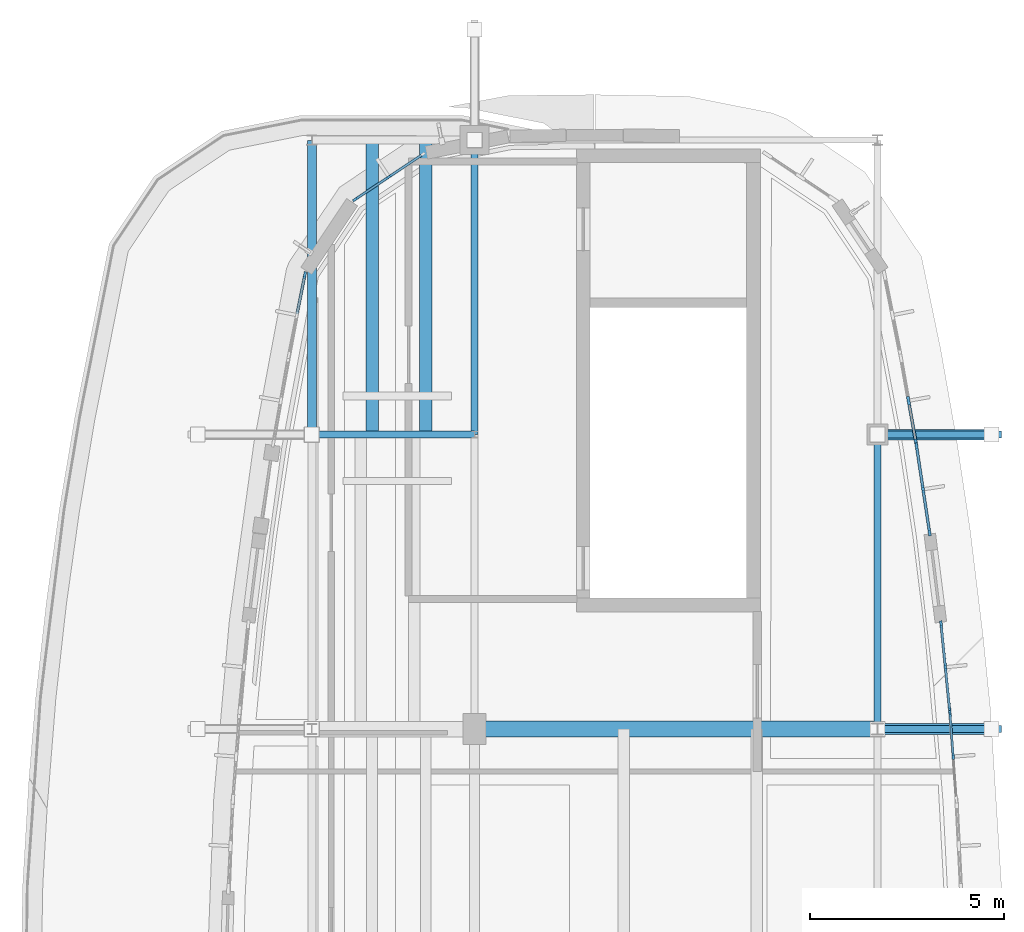
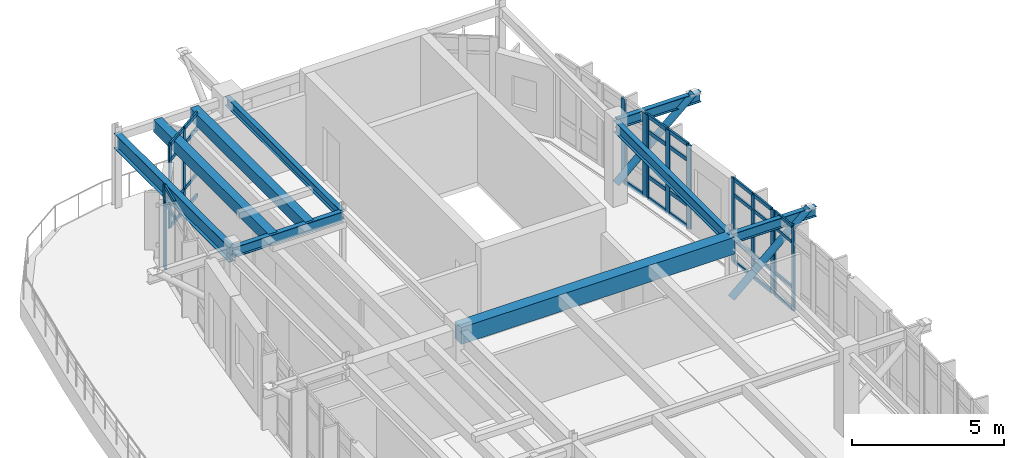
# One storey, part 10 of 20: 46 members, 9 beams, 6 elements without a shape of their own.
"""IFC4 building model written with IfcOpenShell, lengths in metres."""

from ifc_helpers import new_model, si_unit, direction, frame, origin, origin_2d, place, context, subcontext, project, spatial, rectangle, hollow_circle, i_section, extrude, material, material_profile, profile_set, type_object, element, aggregate, save


model = new_model("IFC4")

# Units and contexts
model_context = context("Model", 3, precision=1e-05, world=origin(), true_north=direction((0.0, 1.0)))
body_context = subcontext(model_context, "Body", "Model", "MODEL_VIEW")
ifc_project = project(units=[si_unit("LENGTHUNIT", "METRE"), si_unit("AREAUNIT", "SQUARE_METRE"), si_unit("VOLUMEUNIT", "CUBIC_METRE"), si_unit("PLANEANGLEUNIT", "RADIAN"), si_unit("MASSUNIT", "GRAM", prefix="KILO")], contexts=[model_context])

# Site, building, storey
site_placement = place(None, origin())
site = spatial("IfcSite", under=ifc_project, at=site_placement, CompositionType="ELEMENT")
building_placement = place(site_placement, origin())
building = spatial("IfcBuilding", under=site, at=building_placement, Name="Corveleigh Park Community Centre", CompositionType="ELEMENT")
storey_placement = place(building_placement, frame((0.0, 0.0, 19.800048828125)))
storey = spatial("IfcBuildingStorey", under=building, at=storey_placement, Name="L05", CompositionType="ELEMENT", Elevation=19.800048828125)

# Beams
ifc_material_1 = material(Name="Concrete C40/50", Category="concrete")
ifc_material_profile_1 = material_profile(ifc_material_1, rectangle(XDim=0.324951171875, YDim=0.47509765625, at=origin_2d()), Name="RC-325x475", Category="concrete")
ifc_profile_set_1 = profile_set([ifc_material_profile_1], Name="Concrete C40/50")
beam_type_1 = type_object("IfcBeamType", Name="BM-RC-325x475", PredefinedType="JOIST", material=ifc_profile_set_1)
for number, where, z_axis, x_axis, name in (
    (1, (155.35400390625, 96.60498046875, 3.074462890625), (0.0, 1.0, 0.0), (-1.0, 0.0, 0.0), "Secondary floor joist"),
    (2, (156.739990234375, 96.60498046875, 3.074462890625), (0.0, 1.0, 0.0), (-1.0, 0.0, 0.0), "Secondary floor joist"),
):
    element("IfcBeam", number, at=place(storey_placement, frame(where, z_axis=z_axis, x_axis=x_axis)), inside=storey, type_object=beam_type_1, Name=name, PredefinedType="JOIST", context=body_context, shape_type="SweptSolid", body=[
        extrude(rectangle(XDim=0.324951171875, YDim=0.47509765625, at=origin_2d()), origin(), (0.0, 0.0, 1.0), 7.590087890625),
    ])
ifc_material_profile_2 = material_profile(ifc_material_1, rectangle(XDim=0.425048828125, YDim=0.675048828125, at=origin_2d()), Name="RC-425x675", Category="concrete")
ifc_profile_set_2 = profile_set([ifc_material_profile_2], Name="Concrete C40/50")
beam_type_2 = type_object("IfcBeamType", Name="BM-RC-425x675", PredefinedType="BEAM", material=ifc_profile_set_2)
beam_1_placement = place(storey_placement, frame((158.0048828125, 89.0, 2.974365234375), z_axis=(1.0, 0.0, 0.0), x_axis=(0.0, 1.0, 0.0)))
element("IfcBeam", 3, at=beam_1_placement, inside=storey, type_object=beam_type_2, Name="V4 Girder X", PredefinedType="BEAM", context=body_context, shape_type="SweptSolid", body=[
    extrude(rectangle(XDim=0.425048828125, YDim=0.675048828125, at=origin_2d()), origin(), (0.0, 0.0, 1.0), 10.39013671875),
])
ifc_material_2 = material(Name="Steel S355", Category="steel")
ifc_material_profile_3 = material_profile(ifc_material_2, i_section(OverallWidth=0.173095703125, OverallDepth=0.36328125, WebThickness=0.009033203125, FlangeThickness=0.015625, at=origin_2d()), Name="UKB 356x171x67", Category="steel")
ifc_profile_set_3 = profile_set([ifc_material_profile_3], Name="Steel S355")
beam_type_3 = type_object("IfcBeamType", Name="BM-STL-UKB356x67", PredefinedType="BEAM", material=ifc_profile_set_3)
beam_2_placement = place(storey_placement, frame((158.0, 96.60498046875, 3.13037109375), z_axis=(0.0, 1.0, 0.0), x_axis=(-1.0, 0.0, 0.0)))
element("IfcBeam", 4, at=beam_2_placement, inside=storey, type_object=beam_type_3, Name="V4 Girder Y", PredefinedType="BEAM", context=body_context, shape_type="SweptSolid", body=[
    extrude(i_section(OverallWidth=0.173095703125, OverallDepth=0.36328125, WebThickness=0.009033203125, FlangeThickness=0.015625, at=origin_2d()), origin(), (0.0, 0.0, 1.0), 7.590087890625),
])
ifc_material_profile_4 = material_profile(ifc_material_2, i_section(OverallWidth=0.1787109375, OverallDepth=0.409423828125, WebThickness=0.0087890625, FlangeThickness=0.014404296875, at=origin_2d()), Name="UKB 406x178x67", Category="steel")
ifc_profile_set_4 = profile_set([ifc_material_profile_4], Name="Steel S355")
beam_type_4 = type_object("IfcBeamType", Name="BM-STL-UKB406x67", PredefinedType="BEAM", material=ifc_profile_set_4)
beam_3_placement = place(storey_placement, frame((153.804931640625, 96.60009765625, 3.107177734375), z_axis=(1.0, 0.0, 0.0), x_axis=(0.0, 1.0, 0.0)))
element("IfcBeam", 5, at=beam_3_placement, inside=storey, type_object=beam_type_4, Name="V4 Girder X", PredefinedType="BEAM", context=body_context, shape_type="SweptSolid", body=[
    extrude(i_section(OverallWidth=0.1787109375, OverallDepth=0.409423828125, WebThickness=0.0087890625, FlangeThickness=0.014404296875, at=origin_2d()), origin(), (0.0, 0.0, 1.0), 4.190185546875),
])
for number, where, z_axis, x_axis, name in (
    (6, (168.409912109375, 89.0, 3.1591796875), (1.0, 0.0, 0.0), (0.0, 1.0, 0.0), "V4 Crown Overhang Strut X7Y4 Outrigger"),
    (7, (168.409912109375, 96.60009765625, 3.1591796875), (1.0, 0.0, 0.0), (0.0, 1.0, 0.0), "V4 Crown Overhang Strut X7Y5 Outrigger"),
):
    element("IfcBeam", number, at=place(storey_placement, frame(where, z_axis=z_axis, x_axis=x_axis)), inside=storey, type_object=beam_type_4, Name=name, PredefinedType="BEAM", context=body_context, shape_type="SweptSolid", body=[
        extrude(i_section(OverallWidth=0.1787109375, OverallDepth=0.409423828125, WebThickness=0.0087890625, FlangeThickness=0.014404296875, at=origin_2d()), origin(), (0.0, 0.0, 1.0), 3.190185546875),
    ])
ifc_material_profile_5 = material_profile(ifc_material_2, i_section(OverallWidth=0.1904296875, OverallDepth=0.45703125, WebThickness=0.009033203125, FlangeThickness=0.014404296875, at=origin_2d()), Name="UKB 457x191x74", Category="steel")
ifc_profile_set_5 = profile_set([ifc_material_profile_5], Name="Steel S355")
beam_type_5 = type_object("IfcBeamType", Name="BM-STL-UKB457x74", PredefinedType="BEAM", material=ifc_profile_set_5)
beam_4_placement = place(storey_placement, frame((168.39990234375, 89.0048828125, 3.08349609375), z_axis=(0.0, 1.0, 0.0), x_axis=(-1.0, 0.0, 0.0)))
element("IfcBeam", 8, at=beam_4_placement, inside=storey, type_object=beam_type_5, Name="V4 Girder Y", PredefinedType="BEAM", context=body_context, shape_type="SweptSolid", body=[
    extrude(i_section(OverallWidth=0.1904296875, OverallDepth=0.45703125, WebThickness=0.009033203125, FlangeThickness=0.014404296875, at=origin_2d()), origin(), (0.0, 0.0, 1.0), 7.590087890625),
])
ifc_material_profile_6 = material_profile(ifc_material_2, i_section(OverallWidth=0.228271484375, OverallDepth=0.607666015625, WebThickness=0.010986328125, FlangeThickness=0.017333984375, at=origin_2d()), Name="UKB 610x229x113", Category="steel")
ifc_profile_set_6 = profile_set([ifc_material_profile_6], Name="Steel S355")
beam_type_6 = type_object("IfcBeamType", Name="BM-STL-UKB610x113", PredefinedType="BEAM", material=ifc_profile_set_6)
beam_5_placement = place(storey_placement, frame((153.800048828125, 96.60498046875, 3.008056640625), z_axis=(0.0, 1.0, 0.0), x_axis=(-1.0, 0.0, 0.0)))
element("IfcBeam", 9, at=beam_5_placement, inside=storey, type_object=beam_type_6, Name="V4 Girder Y", PredefinedType="BEAM", context=body_context, shape_type="SweptSolid", body=[
    extrude(i_section(OverallWidth=0.228271484375, OverallDepth=0.607666015625, WebThickness=0.010986328125, FlangeThickness=0.017333984375, at=origin_2d()), origin(), (0.0, 0.0, 1.0), 7.590087890625),
])

# Curtain wall, members
ifc_material_3 = material(Name="Anodised aluminium 6063-T6", Category="aluminium")
curtain_wall_type = type_object("IfcCurtainWallType", Name="CW-SYS-V4-L03", PredefinedType="NOTDEFINED", material=ifc_material_3)
curtain_wall_1_placement = place(storey_placement, origin())
curtain_wall_1 = element("IfcCurtainWall", 10, at=curtain_wall_1_placement, inside=storey, type_object=curtain_wall_type, Name="V4 L05 Curtain Wall 481", PredefinedType="NOTDEFINED")
ifc_material_profile_7 = material_profile(ifc_material_3, rectangle(XDim=0.06005859375, YDim=0.159912109375, at=origin_2d()), Name="ALU-M60x160", Category="aluminium")
ifc_profile_set_7 = profile_set([ifc_material_profile_7], Name="Anodised aluminium 6063-T6")
member_type_1 = type_object("IfcMemberType", Name="CWM-60x160", PredefinedType="MULLION", material=ifc_profile_set_7)
member_1_placement = place(storey_placement, frame((170.271240234375, 89.404052734375, 0.0), z_axis=(0.0, 0.0, 1.0), x_axis=(0.997228438227, 0.074400551014, 0.0)))
member_1 = element("IfcMember", 11, at=member_1_placement, type_object=member_type_1, Name="CW09 mullion 1", PredefinedType="MULLION", context=body_context, shape_type="SweptSolid", body=[
    extrude(rectangle(XDim=0.06005859375, YDim=0.159912109375, at=origin_2d()), origin(), (0.0, 0.0, 1.0), 3.364013671875),
])
member_2_placement = place(storey_placement, frame((170.3544921875, 88.2880859375, 0.0), z_axis=(0.0, 0.0, 1.0), x_axis=(0.997228438227, 0.074400551014, 0.0)))
member_2 = element("IfcMember", 12, at=member_2_placement, type_object=member_type_1, Name="CW09 mullion 2", PredefinedType="MULLION", context=body_context, shape_type="SweptSolid", body=[
    extrude(rectangle(XDim=0.06005859375, YDim=0.159912109375, at=origin_2d()), origin(), (0.0, 0.0, 1.0), 3.364013671875),
])

curtain_wall_2_placement = place(storey_placement, origin())
curtain_wall_2 = element("IfcCurtainWall", 13, at=curtain_wall_2_placement, inside=storey, type_object=curtain_wall_type, Name="V4 L05 Curtain Wall 487", PredefinedType="NOTDEFINED")
member_3_placement = place(storey_placement, frame((154.927978515625, 102.67578125, 0.0), z_axis=(0.0, 0.0, 1.0), x_axis=(-0.555458443376, 0.831544296886, 0.0)))
member_3 = element("IfcMember", 14, at=member_3_placement, type_object=member_type_1, Name="CW09 mullion 1", PredefinedType="MULLION", context=body_context, shape_type="SweptSolid", body=[
    extrude(rectangle(XDim=0.06005859375, YDim=0.159912109375, at=origin_2d()), origin(), (0.0, 0.0, 1.0), 3.364013671875),
])
member_4_placement = place(storey_placement, frame((155.78857421875, 103.25048828125, 0.0), z_axis=(0.0, 0.0, 1.0), x_axis=(-0.555458443376, 0.831544296886, 0.0)))
member_4 = element("IfcMember", 15, at=member_4_placement, type_object=member_type_1, Name="CW09 mullion 2", PredefinedType="MULLION", context=body_context, shape_type="SweptSolid", body=[
    extrude(rectangle(XDim=0.06005859375, YDim=0.159912109375, at=origin_2d()), origin(), (0.0, 0.0, 1.0), 3.364013671875),
])

curtain_wall_3_placement = place(storey_placement, origin())
curtain_wall_3 = element("IfcCurtainWall", 16, at=curtain_wall_3_placement, inside=storey, type_object=curtain_wall_type, Name="V4 L05 Curtain Wall 482", PredefinedType="NOTDEFINED")
ifc_material_profile_8 = material_profile(ifc_material_3, rectangle(XDim=0.06494140625, YDim=0.179931640625, at=origin_2d()), Name="ALU-M65x180", Category="aluminium")
ifc_profile_set_8 = profile_set([ifc_material_profile_8], Name="Anodised aluminium 6063-T6")
member_type_2 = type_object("IfcMemberType", Name="CWM-65x180", PredefinedType="MULLION", material=ifc_profile_set_8)
member_5_placement = place(storey_placement, frame((170.041259765625, 91.70458984375, 0.0), z_axis=(0.0, 0.0, 1.0), x_axis=(0.995015609659, 0.099719288676, 0.0)))
member_5 = element("IfcMember", 17, at=member_5_placement, type_object=member_type_2, Name="CW09 mullion 1", PredefinedType="MULLION", context=body_context, shape_type="SweptSolid", body=[
    extrude(rectangle(XDim=0.06494140625, YDim=0.179931640625, at=origin_2d()), origin(), (0.0, 0.0, 1.0), 3.364013671875),
])
member_6_placement = place(storey_placement, frame((170.152587890625, 90.594482421875, 0.0), z_axis=(0.0, 0.0, 1.0), x_axis=(0.995015609659, 0.099719288676, 0.0)))
member_6 = element("IfcMember", 18, at=member_6_placement, type_object=member_type_2, Name="CW09 mullion 2", PredefinedType="MULLION", context=body_context, shape_type="SweptSolid", body=[
    extrude(rectangle(XDim=0.06494140625, YDim=0.179931640625, at=origin_2d()), origin(), (0.0, 0.0, 1.0), 3.364013671875),
])
member_7_placement = place(storey_placement, frame((170.263671875, 89.484375, 0.0), z_axis=(0.0, 0.0, 1.0), x_axis=(0.995015609659, 0.099719288676, 0.0)))
member_7 = element("IfcMember", 19, at=member_7_placement, type_object=member_type_2, Name="CW09 mullion 3", PredefinedType="MULLION", context=body_context, shape_type="SweptSolid", body=[
    extrude(rectangle(XDim=0.06494140625, YDim=0.179931640625, at=origin_2d()), origin(), (0.0, 0.0, 1.0), 3.364013671875),
])

# Curtain wall, member
curtain_wall_4_placement = place(storey_placement, origin())
curtain_wall_4 = element("IfcCurtainWall", 20, at=curtain_wall_4_placement, inside=storey, type_object=curtain_wall_type, Name="V4 L05 Curtain Wall 488", PredefinedType="NOTDEFINED")
member_8_placement = place(storey_placement, frame((153.61767578125, 100.713134765625, 0.0), z_axis=(0.0, 0.0, 1.0), x_axis=(-0.980846064785, 0.194784489103, 0.0)))
member_8 = element("IfcMember", 21, at=member_8_placement, type_object=member_type_2, Name="CW09 mullion 3", PredefinedType="MULLION", context=body_context, shape_type="SweptSolid", body=[
    extrude(rectangle(XDim=0.06494140625, YDim=0.179931640625, at=origin_2d()), origin(), (0.0, 0.0, 1.0), 3.364013671875),
])

# Curtain wall, members
curtain_wall_5_placement = place(storey_placement, origin())
curtain_wall_5 = element("IfcCurtainWall", 22, at=curtain_wall_5_placement, inside=storey, type_object=curtain_wall_type, Name="V4 L05 Curtain Wall 483", PredefinedType="NOTDEFINED")
ifc_material_profile_9 = material_profile(ifc_material_3, rectangle(XDim=0.070068359375, YDim=0.199951171875, at=origin_2d()), Name="ALU-M70x200", Category="aluminium")
ifc_profile_set_9 = profile_set([ifc_material_profile_9], Name="Anodised aluminium 6063-T6")
member_type_3 = type_object("IfcMemberType", Name="CWM-70x200", PredefinedType="MULLION", material=ifc_profile_set_9)
member_9_placement = place(storey_placement, frame((169.4091796875, 96.288330078125, 0.0), z_axis=(0.0, 0.0, 1.0), x_axis=(0.988795450812, 0.149276778011, 0.0)))
member_9 = element("IfcMember", 23, at=member_9_placement, type_object=member_type_3, Name="CW09 mullion 1", PredefinedType="MULLION", context=body_context, shape_type="SweptSolid", body=[
    extrude(rectangle(XDim=0.070068359375, YDim=0.199951171875, at=origin_2d()), origin(), (0.0, 0.0, 1.0), 3.364013671875),
])
member_10_placement = place(storey_placement, frame((169.575439453125, 95.18701171875, 0.0), z_axis=(0.0, 0.0, 1.0), x_axis=(0.988795450812, 0.149276778011, 0.0)))
member_10 = element("IfcMember", 24, at=member_10_placement, type_object=member_type_3, Name="CW09 mullion 2", PredefinedType="MULLION", context=body_context, shape_type="SweptSolid", body=[
    extrude(rectangle(XDim=0.070068359375, YDim=0.199951171875, at=origin_2d()), origin(), (0.0, 0.0, 1.0), 3.364013671875),
])
member_11_placement = place(storey_placement, frame((169.74169921875, 94.085693359375, 0.0), z_axis=(0.0, 0.0, 1.0), x_axis=(0.988795450812, 0.149276778011, 0.0)))
member_11 = element("IfcMember", 25, at=member_11_placement, type_object=member_type_3, Name="CW09 mullion 3", PredefinedType="MULLION", context=body_context, shape_type="SweptSolid", body=[
    extrude(rectangle(XDim=0.070068359375, YDim=0.199951171875, at=origin_2d()), origin(), (0.0, 0.0, 1.0), 3.364013671875),
])

curtain_wall_6_placement = place(storey_placement, origin())
curtain_wall_6 = element("IfcCurtainWall", 26, at=curtain_wall_6_placement, inside=storey, type_object=curtain_wall_type, Name="V4 L05 Curtain Wall 484", PredefinedType="NOTDEFINED")
ifc_material_profile_10 = material_profile(ifc_material_3, rectangle(XDim=0.074951171875, YDim=0.219970703125, at=origin_2d()), Name="ALU-M75x220", Category="aluminium")
ifc_profile_set_10 = profile_set([ifc_material_profile_10], Name="Anodised aluminium 6063-T6")
member_type_4 = type_object("IfcMemberType", Name="CWM-75x220", PredefinedType="MULLION", material=ifc_profile_set_10)
member_12_placement = place(storey_placement, frame((169.200927734375, 97.472412109375, 0.0), z_axis=(0.0, 0.0, 1.0), x_axis=(0.984735333655, 0.174058388626, 0.0)))
member_12 = element("IfcMember", 27, at=member_12_placement, type_object=member_type_4, Name="CW09 mullion 2", PredefinedType="MULLION", context=body_context, shape_type="SweptSolid", body=[
    extrude(rectangle(XDim=0.074951171875, YDim=0.219970703125, at=origin_2d()), origin(), (0.0, 0.0, 1.0), 3.364013671875),
])
member_13_placement = place(storey_placement, frame((169.39453125, 96.3779296875, 0.0), z_axis=(0.0, 0.0, 1.0), x_axis=(0.984735333655, 0.174058388626, 0.0)))
member_13 = element("IfcMember", 28, at=member_13_placement, type_object=member_type_4, Name="CW09 mullion 3", PredefinedType="MULLION", context=body_context, shape_type="SweptSolid", body=[
    extrude(rectangle(XDim=0.074951171875, YDim=0.219970703125, at=origin_2d()), origin(), (0.0, 0.0, 1.0), 3.364013671875),
])

# Member
ifc_material_profile_11 = material_profile(ifc_material_3, rectangle(XDim=0.06005859375, YDim=0.1201171875, at=origin_2d()), Name="ALU-T60x120", Category="aluminium")
ifc_profile_set_11 = profile_set([ifc_material_profile_11], Name="Anodised aluminium 6063-T6")
member_type_5 = type_object("IfcMemberType", Name="CWT-60x120", PredefinedType="USERDEFINED", material=ifc_profile_set_11)
member_14_placement = place(storey_placement, frame((170.2734375, 89.374267578125, 0.030029296875), z_axis=(0.074440449229, -0.997225460725, 0.0), x_axis=(0.997225460725, 0.074440449229, 0.0)))
member_14 = element("IfcMember", 29, at=member_14_placement, type_object=member_type_5, Name="CW09 transom 1.1", ObjectType="TRANSOM", PredefinedType="USERDEFINED", context=body_context, shape_type="SweptSolid", body=[
    extrude(rectangle(XDim=0.06005859375, YDim=0.1201171875, at=origin_2d()), origin(), (0.0, 0.0, 1.0), 1.059326171875),
])

member_15_placement = place(storey_placement, frame((170.2734375, 89.374267578125, 0.89990234375), z_axis=(0.074440449229, -0.997225460725, 0.0), x_axis=(0.997225460725, 0.074440449229, 0.0)))
member_15 = element("IfcMember", 30, at=member_15_placement, type_object=member_type_5, Name="CW09 transom 1.2", ObjectType="TRANSOM", PredefinedType="USERDEFINED", context=body_context, shape_type="SweptSolid", body=[
    extrude(rectangle(XDim=0.06005859375, YDim=0.1201171875, at=origin_2d()), origin(), (0.0, 0.0, 1.0), 1.059326171875),
])

member_16_placement = place(storey_placement, frame((170.2734375, 89.374267578125, 2.7138671875), z_axis=(0.074440449229, -0.997225460725, 0.0), x_axis=(0.997225460725, 0.074440449229, 0.0)))
member_16 = element("IfcMember", 31, at=member_16_placement, type_object=member_type_5, Name="CW09 transom 1.3", ObjectType="TRANSOM", PredefinedType="USERDEFINED", context=body_context, shape_type="SweptSolid", body=[
    extrude(rectangle(XDim=0.06005859375, YDim=0.1201171875, at=origin_2d()), origin(), (0.0, 0.0, 1.0), 1.059326171875),
])

member_17_placement = place(storey_placement, frame((170.2734375, 89.374267578125, 3.333984375), z_axis=(0.074440449229, -0.997225460725, 0.0), x_axis=(0.997225460725, 0.074440449229, 0.0)))
member_17 = element("IfcMember", 32, at=member_17_placement, type_object=member_type_5, Name="CW09 transom 1.4", ObjectType="TRANSOM", PredefinedType="USERDEFINED", context=body_context, shape_type="SweptSolid", body=[
    extrude(rectangle(XDim=0.06005859375, YDim=0.1201171875, at=origin_2d()), origin(), (0.0, 0.0, 1.0), 1.059326171875),
])

aggregate(curtain_wall_1, [member_1, member_2, member_14, member_15, member_16, member_17])

ifc_material_profile_12 = material_profile(ifc_material_3, rectangle(XDim=0.06494140625, YDim=0.139892578125, at=origin_2d()), Name="ALU-T65x140", Category="aluminium")
ifc_profile_set_12 = profile_set([ifc_material_profile_12], Name="Anodised aluminium 6063-T6")
member_type_6 = type_object("IfcMemberType", Name="CWT-65x140", PredefinedType="USERDEFINED", material=ifc_profile_set_12)
member_18_placement = place(storey_placement, frame((170.04443359375, 91.67236328125, 0.032470703125), z_axis=(0.099687774693, -0.99501876745, 0.0), x_axis=(0.99501876745, 0.099687774693, 0.0)))
member_18 = element("IfcMember", 33, at=member_18_placement, type_object=member_type_6, Name="CW09 transom 1.1", ObjectType="TRANSOM", PredefinedType="USERDEFINED", context=body_context, shape_type="SweptSolid", body=[
    extrude(rectangle(XDim=0.06494140625, YDim=0.139892578125, at=origin_2d()), origin(), (0.0, 0.0, 1.0), 1.050537109375),
])

member_19_placement = place(storey_placement, frame((170.04443359375, 91.67236328125, 0.89990234375), z_axis=(0.099687774693, -0.99501876745, 0.0), x_axis=(0.99501876745, 0.099687774693, 0.0)))
member_19 = element("IfcMember", 34, at=member_19_placement, type_object=member_type_6, Name="CW09 transom 1.2", ObjectType="TRANSOM", PredefinedType="USERDEFINED", context=body_context, shape_type="SweptSolid", body=[
    extrude(rectangle(XDim=0.06494140625, YDim=0.139892578125, at=origin_2d()), origin(), (0.0, 0.0, 1.0), 1.050537109375),
])

member_20_placement = place(storey_placement, frame((170.04443359375, 91.67236328125, 2.7138671875), z_axis=(0.099687774693, -0.99501876745, 0.0), x_axis=(0.99501876745, 0.099687774693, 0.0)))
member_20 = element("IfcMember", 35, at=member_20_placement, type_object=member_type_6, Name="CW09 transom 1.3", ObjectType="TRANSOM", PredefinedType="USERDEFINED", context=body_context, shape_type="SweptSolid", body=[
    extrude(rectangle(XDim=0.06494140625, YDim=0.139892578125, at=origin_2d()), origin(), (0.0, 0.0, 1.0), 1.050537109375),
])

member_21_placement = place(storey_placement, frame((170.04443359375, 91.67236328125, 3.33154296875), z_axis=(0.099687774693, -0.99501876745, 0.0), x_axis=(0.99501876745, 0.099687774693, 0.0)))
member_21 = element("IfcMember", 36, at=member_21_placement, type_object=member_type_6, Name="CW09 transom 1.4", ObjectType="TRANSOM", PredefinedType="USERDEFINED", context=body_context, shape_type="SweptSolid", body=[
    extrude(rectangle(XDim=0.06494140625, YDim=0.139892578125, at=origin_2d()), origin(), (0.0, 0.0, 1.0), 1.050537109375),
])

member_22_placement = place(storey_placement, frame((170.15576171875, 90.562255859375, 0.032470703125), z_axis=(0.099664730692, -0.995021075885, 0.0), x_axis=(0.995021075885, 0.099664730692, 0.0)))
member_22 = element("IfcMember", 37, at=member_22_placement, type_object=member_type_6, Name="CW09 transom 2.1", ObjectType="TRANSOM", PredefinedType="USERDEFINED", context=body_context, shape_type="SweptSolid", body=[
    extrude(rectangle(XDim=0.06494140625, YDim=0.139892578125, at=origin_2d()), origin(), (0.0, 0.0, 1.0), 1.05078125),
])

member_23_placement = place(storey_placement, frame((170.15576171875, 90.562255859375, 0.89990234375), z_axis=(0.099664730692, -0.995021075885, 0.0), x_axis=(0.995021075885, 0.099664730692, 0.0)))
member_23 = element("IfcMember", 38, at=member_23_placement, type_object=member_type_6, Name="CW09 transom 2.2", ObjectType="TRANSOM", PredefinedType="USERDEFINED", context=body_context, shape_type="SweptSolid", body=[
    extrude(rectangle(XDim=0.06494140625, YDim=0.139892578125, at=origin_2d()), origin(), (0.0, 0.0, 1.0), 1.05078125),
])

member_24_placement = place(storey_placement, frame((170.15576171875, 90.562255859375, 2.7138671875), z_axis=(0.099664730692, -0.995021075885, 0.0), x_axis=(0.995021075885, 0.099664730692, 0.0)))
member_24 = element("IfcMember", 39, at=member_24_placement, type_object=member_type_6, Name="CW09 transom 2.3", ObjectType="TRANSOM", PredefinedType="USERDEFINED", context=body_context, shape_type="SweptSolid", body=[
    extrude(rectangle(XDim=0.06494140625, YDim=0.139892578125, at=origin_2d()), origin(), (0.0, 0.0, 1.0), 1.05078125),
])

member_25_placement = place(storey_placement, frame((170.15576171875, 90.562255859375, 3.33154296875), z_axis=(0.099664730692, -0.995021075885, 0.0), x_axis=(0.995021075885, 0.099664730692, 0.0)))
member_25 = element("IfcMember", 40, at=member_25_placement, type_object=member_type_6, Name="CW09 transom 2.4", ObjectType="TRANSOM", PredefinedType="USERDEFINED", context=body_context, shape_type="SweptSolid", body=[
    extrude(rectangle(XDim=0.06494140625, YDim=0.139892578125, at=origin_2d()), origin(), (0.0, 0.0, 1.0), 1.05078125),
])

aggregate(curtain_wall_3, [member_5, member_6, member_7, member_18, member_19, member_20, member_21, member_22, member_23, member_24, member_25])

member_26_placement = place(storey_placement, frame((154.952880859375, 102.6923828125, 0.032470703125), z_axis=(0.831587723286, 0.555393426753, 0.0), x_axis=(-0.555393426753, 0.831587723286, 0.0)))
member_26 = element("IfcMember", 41, at=member_26_placement, type_object=member_type_6, Name="CW09 transom 1.1", ObjectType="TRANSOM", PredefinedType="USERDEFINED", context=body_context, shape_type="SweptSolid", body=[
    extrude(rectangle(XDim=0.06494140625, YDim=0.139892578125, at=origin_2d()), origin(), (0.0, 0.0, 1.0), 0.97509765625),
])

member_27_placement = place(storey_placement, frame((154.952880859375, 102.6923828125, 0.89990234375), z_axis=(0.831587723286, 0.555393426753, 0.0), x_axis=(-0.555393426753, 0.831587723286, 0.0)))
member_27 = element("IfcMember", 42, at=member_27_placement, type_object=member_type_6, Name="CW09 transom 1.2", ObjectType="TRANSOM", PredefinedType="USERDEFINED", context=body_context, shape_type="SweptSolid", body=[
    extrude(rectangle(XDim=0.06494140625, YDim=0.139892578125, at=origin_2d()), origin(), (0.0, 0.0, 1.0), 0.97509765625),
])

member_28_placement = place(storey_placement, frame((154.952880859375, 102.6923828125, 2.7138671875), z_axis=(0.831587723286, 0.555393426753, 0.0), x_axis=(-0.555393426753, 0.831587723286, 0.0)))
member_28 = element("IfcMember", 43, at=member_28_placement, type_object=member_type_6, Name="CW09 transom 1.3", ObjectType="TRANSOM", PredefinedType="USERDEFINED", context=body_context, shape_type="SweptSolid", body=[
    extrude(rectangle(XDim=0.06494140625, YDim=0.139892578125, at=origin_2d()), origin(), (0.0, 0.0, 1.0), 0.97509765625),
])

member_29_placement = place(storey_placement, frame((154.952880859375, 102.6923828125, 3.33154296875), z_axis=(0.831587723286, 0.555393426753, 0.0), x_axis=(-0.555393426753, 0.831587723286, 0.0)))
member_29 = element("IfcMember", 44, at=member_29_placement, type_object=member_type_6, Name="CW09 transom 1.4", ObjectType="TRANSOM", PredefinedType="USERDEFINED", context=body_context, shape_type="SweptSolid", body=[
    extrude(rectangle(XDim=0.06494140625, YDim=0.139892578125, at=origin_2d()), origin(), (0.0, 0.0, 1.0), 0.97509765625),
])

member_30_placement = place(storey_placement, frame((155.8134765625, 103.26708984375, 0.032470703125), z_axis=(0.831510459439, 0.555509096095, 0.0), x_axis=(-0.555509096095, 0.831510459439, 0.0)))
member_30 = element("IfcMember", 45, at=member_30_placement, type_object=member_type_6, Name="CW09 transom 2.1", ObjectType="TRANSOM", PredefinedType="USERDEFINED", context=body_context, shape_type="SweptSolid", body=[
    extrude(rectangle(XDim=0.06494140625, YDim=0.139892578125, at=origin_2d()), origin(), (0.0, 0.0, 1.0), 0.974853515625),
])

member_31_placement = place(storey_placement, frame((155.8134765625, 103.26708984375, 0.89990234375), z_axis=(0.831510459439, 0.555509096095, 0.0), x_axis=(-0.555509096095, 0.831510459439, 0.0)))
member_31 = element("IfcMember", 46, at=member_31_placement, type_object=member_type_6, Name="CW09 transom 2.2", ObjectType="TRANSOM", PredefinedType="USERDEFINED", context=body_context, shape_type="SweptSolid", body=[
    extrude(rectangle(XDim=0.06494140625, YDim=0.139892578125, at=origin_2d()), origin(), (0.0, 0.0, 1.0), 0.974853515625),
])

member_32_placement = place(storey_placement, frame((155.8134765625, 103.26708984375, 2.7138671875), z_axis=(0.831510459439, 0.555509096095, 0.0), x_axis=(-0.555509096095, 0.831510459439, 0.0)))
member_32 = element("IfcMember", 47, at=member_32_placement, type_object=member_type_6, Name="CW09 transom 2.3", ObjectType="TRANSOM", PredefinedType="USERDEFINED", context=body_context, shape_type="SweptSolid", body=[
    extrude(rectangle(XDim=0.06494140625, YDim=0.139892578125, at=origin_2d()), origin(), (0.0, 0.0, 1.0), 0.974853515625),
])

member_33_placement = place(storey_placement, frame((155.8134765625, 103.26708984375, 3.33154296875), z_axis=(0.831510459439, 0.555509096095, 0.0), x_axis=(-0.555509096095, 0.831510459439, 0.0)))
member_33 = element("IfcMember", 48, at=member_33_placement, type_object=member_type_6, Name="CW09 transom 2.4", ObjectType="TRANSOM", PredefinedType="USERDEFINED", context=body_context, shape_type="SweptSolid", body=[
    extrude(rectangle(XDim=0.06494140625, YDim=0.139892578125, at=origin_2d()), origin(), (0.0, 0.0, 1.0), 0.974853515625),
])

aggregate(curtain_wall_2, [member_3, member_4, member_26, member_27, member_28, member_29, member_30, member_31, member_32, member_33])

ifc_material_profile_13 = material_profile(ifc_material_3, rectangle(XDim=0.070068359375, YDim=0.155029296875, at=origin_2d()), Name="ALU-T70x155", Category="aluminium")
ifc_profile_set_13 = profile_set([ifc_material_profile_13], Name="Anodised aluminium 6063-T6")
member_type_7 = type_object("IfcMemberType", Name="CWT-70x155", PredefinedType="USERDEFINED", material=ifc_profile_set_13)
member_34_placement = place(storey_placement, frame((169.41455078125, 96.25390625, 0.034912109375), z_axis=(0.149209548608, -0.988805597984, 0.0), x_axis=(0.988805597984, 0.149209548608, 0.0)))
member_34 = element("IfcMember", 49, at=member_34_placement, type_object=member_type_7, Name="CW09 transom 1.1", ObjectType="TRANSOM", PredefinedType="USERDEFINED", context=body_context, shape_type="SweptSolid", body=[
    extrude(rectangle(XDim=0.070068359375, YDim=0.155029296875, at=origin_2d()), origin(), (0.0, 0.0, 1.0), 1.0439453125),
])

member_35_placement = place(storey_placement, frame((169.41455078125, 96.25390625, 0.89990234375), z_axis=(0.149209548608, -0.988805597984, 0.0), x_axis=(0.988805597984, 0.149209548608, 0.0)))
member_35 = element("IfcMember", 50, at=member_35_placement, type_object=member_type_7, Name="CW09 transom 1.2", ObjectType="TRANSOM", PredefinedType="USERDEFINED", context=body_context, shape_type="SweptSolid", body=[
    extrude(rectangle(XDim=0.070068359375, YDim=0.155029296875, at=origin_2d()), origin(), (0.0, 0.0, 1.0), 1.0439453125),
])

member_36_placement = place(storey_placement, frame((169.41455078125, 96.25390625, 2.7138671875), z_axis=(0.149209548608, -0.988805597984, 0.0), x_axis=(0.988805597984, 0.149209548608, 0.0)))
member_36 = element("IfcMember", 51, at=member_36_placement, type_object=member_type_7, Name="CW09 transom 1.3", ObjectType="TRANSOM", PredefinedType="USERDEFINED", context=body_context, shape_type="SweptSolid", body=[
    extrude(rectangle(XDim=0.070068359375, YDim=0.155029296875, at=origin_2d()), origin(), (0.0, 0.0, 1.0), 1.0439453125),
])

member_37_placement = place(storey_placement, frame((169.41455078125, 96.25390625, 3.328857421875), z_axis=(0.149209548608, -0.988805597984, 0.0), x_axis=(0.988805597984, 0.149209548608, 0.0)))
member_37 = element("IfcMember", 52, at=member_37_placement, type_object=member_type_7, Name="CW09 transom 1.4", ObjectType="TRANSOM", PredefinedType="USERDEFINED", context=body_context, shape_type="SweptSolid", body=[
    extrude(rectangle(XDim=0.070068359375, YDim=0.155029296875, at=origin_2d()), origin(), (0.0, 0.0, 1.0), 1.0439453125),
])

member_38_placement = place(storey_placement, frame((169.580810546875, 95.15234375, 0.034912109375), z_axis=(0.149209548608, -0.988805597984, 0.0), x_axis=(0.988805597984, 0.149209548608, 0.0)))
member_38 = element("IfcMember", 53, at=member_38_placement, type_object=member_type_7, Name="CW09 transom 2.1", ObjectType="TRANSOM", PredefinedType="USERDEFINED", context=body_context, shape_type="SweptSolid", body=[
    extrude(rectangle(XDim=0.070068359375, YDim=0.155029296875, at=origin_2d()), origin(), (0.0, 0.0, 1.0), 1.0439453125),
])

member_39_placement = place(storey_placement, frame((169.580810546875, 95.15234375, 0.89990234375), z_axis=(0.149209548608, -0.988805597984, 0.0), x_axis=(0.988805597984, 0.149209548608, 0.0)))
member_39 = element("IfcMember", 54, at=member_39_placement, type_object=member_type_7, Name="CW09 transom 2.2", ObjectType="TRANSOM", PredefinedType="USERDEFINED", context=body_context, shape_type="SweptSolid", body=[
    extrude(rectangle(XDim=0.070068359375, YDim=0.155029296875, at=origin_2d()), origin(), (0.0, 0.0, 1.0), 1.0439453125),
])

member_40_placement = place(storey_placement, frame((169.580810546875, 95.15234375, 2.7138671875), z_axis=(0.149209548608, -0.988805597984, 0.0), x_axis=(0.988805597984, 0.149209548608, 0.0)))
member_40 = element("IfcMember", 55, at=member_40_placement, type_object=member_type_7, Name="CW09 transom 2.3", ObjectType="TRANSOM", PredefinedType="USERDEFINED", context=body_context, shape_type="SweptSolid", body=[
    extrude(rectangle(XDim=0.070068359375, YDim=0.155029296875, at=origin_2d()), origin(), (0.0, 0.0, 1.0), 1.0439453125),
])

member_41_placement = place(storey_placement, frame((169.580810546875, 95.15234375, 3.328857421875), z_axis=(0.149209548608, -0.988805597984, 0.0), x_axis=(0.988805597984, 0.149209548608, 0.0)))
member_41 = element("IfcMember", 56, at=member_41_placement, type_object=member_type_7, Name="CW09 transom 2.4", ObjectType="TRANSOM", PredefinedType="USERDEFINED", context=body_context, shape_type="SweptSolid", body=[
    extrude(rectangle(XDim=0.070068359375, YDim=0.155029296875, at=origin_2d()), origin(), (0.0, 0.0, 1.0), 1.0439453125),
])

aggregate(curtain_wall_5, [member_9, member_10, member_11, member_34, member_35, member_36, member_37, member_38, member_39, member_40, member_41])

member_42_placement = place(storey_placement, frame((153.41943359375, 99.71435546875, 2.7138671875), z_axis=(0.194686927131, 0.980865434402, 0.0), x_axis=(-0.980865434402, 0.194686927131, 0.0)))
member_42 = element("IfcMember", 57, at=member_42_placement, type_object=member_type_7, Name="CW09 transom 2.3", ObjectType="TRANSOM", PredefinedType="USERDEFINED", context=body_context, shape_type="SweptSolid", body=[
    extrude(rectangle(XDim=0.070068359375, YDim=0.155029296875, at=origin_2d()), origin(), (0.0, 0.0, 1.0), 0.985595703125),
])

member_43_placement = place(storey_placement, frame((153.41943359375, 99.71435546875, 3.328857421875), z_axis=(0.194686927131, 0.980865434402, 0.0), x_axis=(-0.980865434402, 0.194686927131, 0.0)))
member_43 = element("IfcMember", 58, at=member_43_placement, type_object=member_type_7, Name="CW09 transom 2.4", ObjectType="TRANSOM", PredefinedType="USERDEFINED", context=body_context, shape_type="SweptSolid", body=[
    extrude(rectangle(XDim=0.070068359375, YDim=0.155029296875, at=origin_2d()), origin(), (0.0, 0.0, 1.0), 0.985595703125),
])

aggregate(curtain_wall_4, [member_8, member_42, member_43])

ifc_material_profile_14 = material_profile(ifc_material_3, rectangle(XDim=0.074951171875, YDim=0.175048828125, at=origin_2d()), Name="ALU-T75x175", Category="aluminium")
ifc_profile_set_14 = profile_set([ifc_material_profile_14], Name="Anodised aluminium 6063-T6")
member_type_8 = type_object("IfcMemberType", Name="CWT-75x175", PredefinedType="USERDEFINED", material=ifc_profile_set_14)
member_44_placement = place(storey_placement, frame((169.20751953125, 97.435546875, 0.037353515625), z_axis=(0.174054048896, -0.984736100721, 0.0), x_axis=(0.984736100721, 0.174054048896, 0.0)))
member_44 = element("IfcMember", 59, at=member_44_placement, type_object=member_type_8, Name="CW09 transom 2.1", ObjectType="TRANSOM", PredefinedType="USERDEFINED", context=body_context, shape_type="SweptSolid", body=[
    extrude(rectangle(XDim=0.074951171875, YDim=0.175048828125, at=origin_2d()), origin(), (0.0, 0.0, 1.0), 1.03662109375),
])

aggregate(curtain_wall_6, [member_12, member_13, member_44])

# Members
ifc_material_profile_15 = material_profile(ifc_material_2, hollow_circle(Radius=0.136474609375, WallThickness=0.012451171875, at=origin_2d()), Name="CHS 273.0x12.5", Category="steel")
ifc_profile_set_15 = profile_set([ifc_material_profile_15], Name="Steel S355")
member_type_9 = type_object("IfcMemberType", Name="MEM-STR-CHS273E", PredefinedType="STRUT", material=ifc_profile_set_15)
for number, where, z_axis, x_axis, name in (
    (60, (168.39990234375, 89.0, 0.75), (0.748675336061, 0.0, 0.662936830455), (0.0, 1.0, 0.0), "V4 Crown Overhang Strut X7Y4"),
    (61, (168.39990234375, 96.60009765625, 0.75), (0.748675336061, 0.0, 0.662936830455), (0.0, 1.0, 0.0), "V4 Crown Overhang Strut X7Y5"),
):
    element("IfcMember", number, at=place(storey_placement, frame(where, z_axis=z_axis, x_axis=x_axis)), inside=storey, type_object=member_type_9, Name=name, PredefinedType="STRUT", context=body_context, shape_type="SweptSolid", body=[
        extrude(hollow_circle(Radius=0.136474609375, WallThickness=0.012451171875, at=origin_2d()), origin(), (0.0, 0.0, 1.0), 3.932373046875),
    ])

save(model, "model.ifc")
